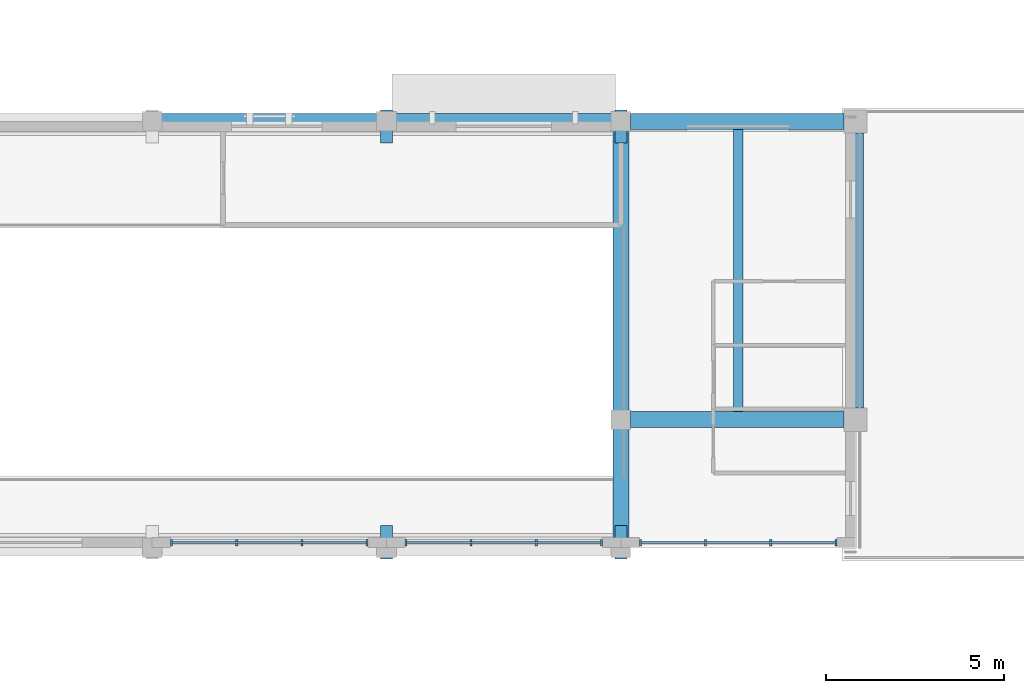
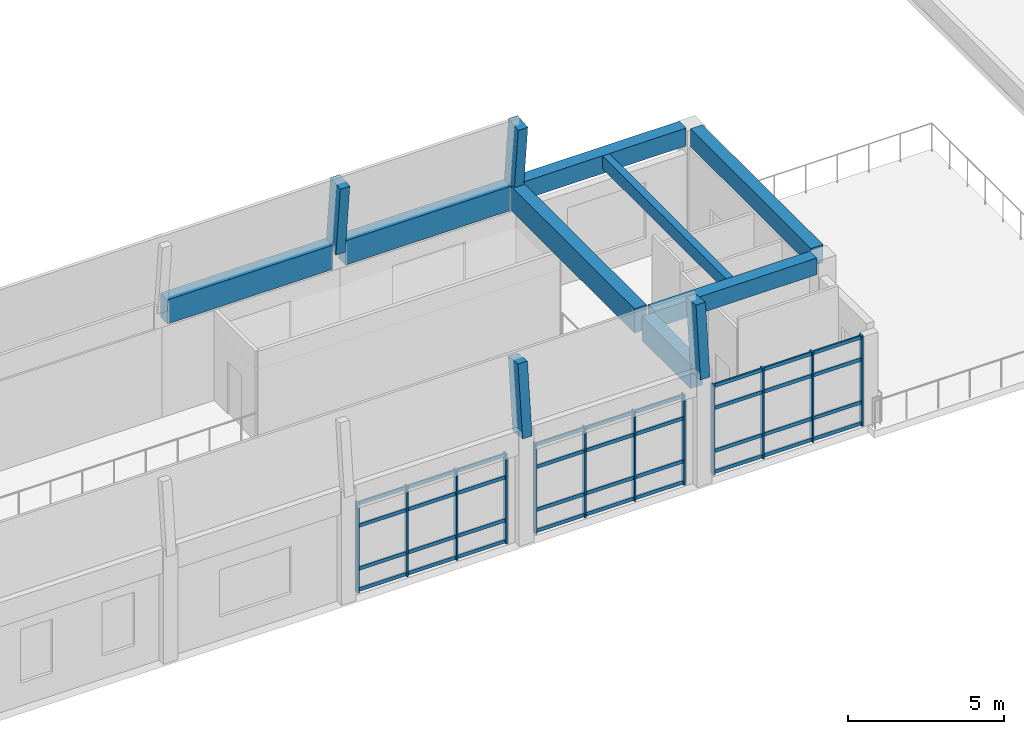
# One storey, part 13 of 50: 24 members, 12 beams, 3 elements without a shape of their own.
"""IFC4 building model written with IfcOpenShell, lengths in metres."""

from ifc_helpers import new_model, si_unit, direction, frame, origin, origin_2d, place, context, subcontext, project, spatial, rectangle, extrude, material, layer, layer_set, material_profile, profile_set, type_object, element, aggregate, save


model = new_model("IFC4")

# Units and contexts
model_context = context("Model", 3, precision=1e-05, world=origin(), true_north=direction((0.0, 1.0)))
body_context = subcontext(model_context, "Body", "Model", "MODEL_VIEW")
ifc_project = project(units=[si_unit("LENGTHUNIT", "METRE"), si_unit("AREAUNIT", "SQUARE_METRE"), si_unit("VOLUMEUNIT", "CUBIC_METRE"), si_unit("PLANEANGLEUNIT", "RADIAN"), si_unit("MASSUNIT", "GRAM", prefix="KILO")], contexts=[model_context])

# Site, building, storey
site_placement = place(None, origin())
site = spatial("IfcSite", under=ifc_project, at=site_placement, CompositionType="ELEMENT")
building_placement = place(site_placement, origin())
building = spatial("IfcBuilding", under=site, at=building_placement, Name="Kolvaren Faculty of Natural Sciences", CompositionType="ELEMENT")
storey_placement = place(building_placement, frame((0.0, 0.0, 15.0)))
storey = spatial("IfcBuildingStorey", under=building, at=storey_placement, Name="L03", CompositionType="ELEMENT", Elevation=15.0)

# Curtain wall, members
ifc_material_1 = material(Name="Thermally broken anodised aluminium framing", Category="aluminium")
ifc_layer = layer(ifc_material_1, 0.179931640625)
ifc_layer_set = layer_set([ifc_layer], Name="Thermally broken anodised aluminium framing")
curtain_wall_type = type_object("IfcCurtainWallType", Name="AtriumCurtainWall_CW01", PredefinedType="NOTDEFINED", material=ifc_layer_set)
curtain_wall_1_placement = place(storey_placement, origin())
curtain_wall_1 = element("IfcCurtainWall", 1, at=curtain_wall_1_placement, inside=storey, type_object=curtain_wall_type, Name="L03 unitised curtain wall CW-01 (CW-L03-164)", PredefinedType="NOTDEFINED")
ifc_material_profile_1 = material_profile(ifc_material_1, rectangle(XDim=0.06005859375, YDim=0.179931640625, at=origin_2d()), Name="ALU MUL 60x180")
ifc_profile_set_1 = profile_set([ifc_material_profile_1], Name="Thermally broken anodised aluminium framing")
member_type_1 = type_object("IfcMemberType", Name="CurtainMullion_60x180", PredefinedType="MULLION", material=ifc_profile_set_1)
member_1_placement = place(storey_placement, frame((105.25, 72.340087890625, 0.0), z_axis=(0.0, 0.0, 1.0), x_axis=(-1.0, 0.0, 0.0)))
member_1 = element("IfcMember", 2, at=member_1_placement, type_object=member_type_1, Name="CW-L03-164 vertical mullion 1", PredefinedType="MULLION", context=body_context, shape_type="SweptSolid", body=[
    extrude(rectangle(XDim=0.06005859375, YDim=0.179931640625, at=origin_2d()), origin(), (0.0, 0.0, 1.0), 3.534912109375),
])
member_2_placement = place(storey_placement, frame((103.416748046875, 72.340087890625, 0.0), z_axis=(0.0, 0.0, 1.0), x_axis=(-1.0, 0.0, 0.0)))
member_2 = element("IfcMember", 3, at=member_2_placement, type_object=member_type_1, Name="CW-L03-164 vertical mullion 2", PredefinedType="MULLION", context=body_context, shape_type="SweptSolid", body=[
    extrude(rectangle(XDim=0.06005859375, YDim=0.179931640625, at=origin_2d()), origin(), (0.0, 0.0, 1.0), 3.534912109375),
])
member_3_placement = place(storey_placement, frame((101.583251953125, 72.340087890625, 0.0), z_axis=(0.0, 0.0, 1.0), x_axis=(-1.0, 0.0, 0.0)))
member_3 = element("IfcMember", 4, at=member_3_placement, type_object=member_type_1, Name="CW-L03-164 vertical mullion 3", PredefinedType="MULLION", context=body_context, shape_type="SweptSolid", body=[
    extrude(rectangle(XDim=0.06005859375, YDim=0.179931640625, at=origin_2d()), origin(), (0.0, 0.0, 1.0), 3.534912109375),
])
member_4_placement = place(storey_placement, frame((99.75, 72.340087890625, 0.0), z_axis=(0.0, 0.0, 1.0), x_axis=(-1.0, 0.0, 0.0)))
member_4 = element("IfcMember", 5, at=member_4_placement, type_object=member_type_1, Name="CW-L03-164 vertical mullion 4", PredefinedType="MULLION", context=body_context, shape_type="SweptSolid", body=[
    extrude(rectangle(XDim=0.06005859375, YDim=0.179931640625, at=origin_2d()), origin(), (0.0, 0.0, 1.0), 3.534912109375),
])

curtain_wall_2_placement = place(storey_placement, origin())
curtain_wall_2 = element("IfcCurtainWall", 6, at=curtain_wall_2_placement, inside=storey, type_object=curtain_wall_type, Name="L03 unitised curtain wall CW-01 (CW-L03-165)", PredefinedType="NOTDEFINED")
member_5_placement = place(storey_placement, frame((98.64990234375, 72.340087890625, 0.0), z_axis=(0.0, 0.0, 1.0), x_axis=(-1.0, 0.0, 0.0)))
member_5 = element("IfcMember", 7, at=member_5_placement, type_object=member_type_1, Name="CW-L03-165 vertical mullion 1", PredefinedType="MULLION", context=body_context, shape_type="SweptSolid", body=[
    extrude(rectangle(XDim=0.06005859375, YDim=0.179931640625, at=origin_2d()), origin(), (0.0, 0.0, 1.0), 3.534912109375),
])
member_6_placement = place(storey_placement, frame((96.816650390625, 72.340087890625, 0.0), z_axis=(0.0, 0.0, 1.0), x_axis=(-1.0, 0.0, 0.0)))
member_6 = element("IfcMember", 8, at=member_6_placement, type_object=member_type_1, Name="CW-L03-165 vertical mullion 2", PredefinedType="MULLION", context=body_context, shape_type="SweptSolid", body=[
    extrude(rectangle(XDim=0.06005859375, YDim=0.179931640625, at=origin_2d()), origin(), (0.0, 0.0, 1.0), 3.534912109375),
])
member_7_placement = place(storey_placement, frame((94.9833984375, 72.340087890625, 0.0), z_axis=(0.0, 0.0, 1.0), x_axis=(-1.0, 0.0, 0.0)))
member_7 = element("IfcMember", 9, at=member_7_placement, type_object=member_type_1, Name="CW-L03-165 vertical mullion 3", PredefinedType="MULLION", context=body_context, shape_type="SweptSolid", body=[
    extrude(rectangle(XDim=0.06005859375, YDim=0.179931640625, at=origin_2d()), origin(), (0.0, 0.0, 1.0), 3.534912109375),
])
member_8_placement = place(storey_placement, frame((93.14990234375, 72.340087890625, 0.0), z_axis=(0.0, 0.0, 1.0), x_axis=(-1.0, 0.0, 0.0)))
member_8 = element("IfcMember", 10, at=member_8_placement, type_object=member_type_1, Name="CW-L03-165 vertical mullion 4", PredefinedType="MULLION", context=body_context, shape_type="SweptSolid", body=[
    extrude(rectangle(XDim=0.06005859375, YDim=0.179931640625, at=origin_2d()), origin(), (0.0, 0.0, 1.0), 3.534912109375),
])

curtain_wall_3_placement = place(storey_placement, origin())
curtain_wall_3 = element("IfcCurtainWall", 11, at=curtain_wall_3_placement, inside=storey, type_object=curtain_wall_type, Name="L03 unitised curtain wall CW-01 (CW-L03-166)", PredefinedType="NOTDEFINED")
member_9_placement = place(storey_placement, frame((92.050048828125, 72.340087890625, 0.0), z_axis=(0.0, 0.0, 1.0), x_axis=(-1.0, 0.0, 0.0)))
member_9 = element("IfcMember", 12, at=member_9_placement, type_object=member_type_1, Name="CW-L03-166 vertical mullion 1", PredefinedType="MULLION", context=body_context, shape_type="SweptSolid", body=[
    extrude(rectangle(XDim=0.06005859375, YDim=0.179931640625, at=origin_2d()), origin(), (0.0, 0.0, 1.0), 3.534912109375),
])
member_10_placement = place(storey_placement, frame((90.216796875, 72.340087890625, 0.0), z_axis=(0.0, 0.0, 1.0), x_axis=(-1.0, 0.0, 0.0)))
member_10 = element("IfcMember", 13, at=member_10_placement, type_object=member_type_1, Name="CW-L03-166 vertical mullion 2", PredefinedType="MULLION", context=body_context, shape_type="SweptSolid", body=[
    extrude(rectangle(XDim=0.06005859375, YDim=0.179931640625, at=origin_2d()), origin(), (0.0, 0.0, 1.0), 3.534912109375),
])
member_11_placement = place(storey_placement, frame((88.38330078125, 72.340087890625, 0.0), z_axis=(0.0, 0.0, 1.0), x_axis=(-1.0, 0.0, 0.0)))
member_11 = element("IfcMember", 14, at=member_11_placement, type_object=member_type_1, Name="CW-L03-166 vertical mullion 3", PredefinedType="MULLION", context=body_context, shape_type="SweptSolid", body=[
    extrude(rectangle(XDim=0.06005859375, YDim=0.179931640625, at=origin_2d()), origin(), (0.0, 0.0, 1.0), 3.534912109375),
])
member_12_placement = place(storey_placement, frame((86.550048828125, 72.340087890625, 0.0), z_axis=(0.0, 0.0, 1.0), x_axis=(-1.0, 0.0, 0.0)))
member_12 = element("IfcMember", 15, at=member_12_placement, type_object=member_type_1, Name="CW-L03-166 vertical mullion 4", PredefinedType="MULLION", context=body_context, shape_type="SweptSolid", body=[
    extrude(rectangle(XDim=0.06005859375, YDim=0.179931640625, at=origin_2d()), origin(), (0.0, 0.0, 1.0), 3.534912109375),
])

# Member
ifc_material_profile_2 = material_profile(ifc_material_1, rectangle(XDim=0.06005859375, YDim=0.139892578125, at=origin_2d()), Name="ALU TRN 60x140")
ifc_profile_set_2 = profile_set([ifc_material_profile_2], Name="Thermally broken anodised aluminium framing")
member_type_2 = type_object("IfcMemberType", Name="CurtainTransom_60x140", PredefinedType="USERDEFINED", material=ifc_profile_set_2)
member_13_placement = place(storey_placement, frame((105.25, 72.340087890625, 0.080078125), z_axis=(-1.0, 0.0, 0.0), x_axis=(0.0, -1.0, 0.0)))
member_13 = element("IfcMember", 16, at=member_13_placement, type_object=member_type_2, Name="CW-L03-164 horizontal transom 1", ObjectType="TRANSOM", PredefinedType="USERDEFINED", context=body_context, shape_type="SweptSolid", body=[
    extrude(rectangle(XDim=0.06005859375, YDim=0.139892578125, at=origin_2d()), origin(), (0.0, 0.0, 1.0), 5.5),
])

member_14_placement = place(storey_placement, frame((105.25, 72.340087890625, 0.89990234375), z_axis=(-1.0, 0.0, 0.0), x_axis=(0.0, -1.0, 0.0)))
member_14 = element("IfcMember", 17, at=member_14_placement, type_object=member_type_2, Name="CW-L03-164 horizontal transom 2", ObjectType="TRANSOM", PredefinedType="USERDEFINED", context=body_context, shape_type="SweptSolid", body=[
    extrude(rectangle(XDim=0.06005859375, YDim=0.139892578125, at=origin_2d()), origin(), (0.0, 0.0, 1.0), 5.5),
])

member_15_placement = place(storey_placement, frame((105.25, 72.340087890625, 2.5849609375), z_axis=(-1.0, 0.0, 0.0), x_axis=(0.0, -1.0, 0.0)))
member_15 = element("IfcMember", 18, at=member_15_placement, type_object=member_type_2, Name="CW-L03-164 horizontal transom 3", ObjectType="TRANSOM", PredefinedType="USERDEFINED", context=body_context, shape_type="SweptSolid", body=[
    extrude(rectangle(XDim=0.06005859375, YDim=0.139892578125, at=origin_2d()), origin(), (0.0, 0.0, 1.0), 5.5),
])

member_16_placement = place(storey_placement, frame((105.25, 72.340087890625, 3.455078125), z_axis=(-1.0, 0.0, 0.0), x_axis=(0.0, -1.0, 0.0)))
member_16 = element("IfcMember", 19, at=member_16_placement, type_object=member_type_2, Name="CW-L03-164 horizontal transom 4", ObjectType="TRANSOM", PredefinedType="USERDEFINED", context=body_context, shape_type="SweptSolid", body=[
    extrude(rectangle(XDim=0.06005859375, YDim=0.139892578125, at=origin_2d()), origin(), (0.0, 0.0, 1.0), 5.5),
])

aggregate(curtain_wall_1, [member_1, member_2, member_3, member_4, member_13, member_14, member_15, member_16])

member_17_placement = place(storey_placement, frame((98.64990234375, 72.340087890625, 0.080078125), z_axis=(-1.0, 0.0, 0.0), x_axis=(0.0, -1.0, 0.0)))
member_17 = element("IfcMember", 20, at=member_17_placement, type_object=member_type_2, Name="CW-L03-165 horizontal transom 1", ObjectType="TRANSOM", PredefinedType="USERDEFINED", context=body_context, shape_type="SweptSolid", body=[
    extrude(rectangle(XDim=0.06005859375, YDim=0.139892578125, at=origin_2d()), origin(), (0.0, 0.0, 1.0), 5.5),
])

member_18_placement = place(storey_placement, frame((98.64990234375, 72.340087890625, 0.89990234375), z_axis=(-1.0, 0.0, 0.0), x_axis=(0.0, -1.0, 0.0)))
member_18 = element("IfcMember", 21, at=member_18_placement, type_object=member_type_2, Name="CW-L03-165 horizontal transom 2", ObjectType="TRANSOM", PredefinedType="USERDEFINED", context=body_context, shape_type="SweptSolid", body=[
    extrude(rectangle(XDim=0.06005859375, YDim=0.139892578125, at=origin_2d()), origin(), (0.0, 0.0, 1.0), 5.5),
])

member_19_placement = place(storey_placement, frame((98.64990234375, 72.340087890625, 2.5849609375), z_axis=(-1.0, 0.0, 0.0), x_axis=(0.0, -1.0, 0.0)))
member_19 = element("IfcMember", 22, at=member_19_placement, type_object=member_type_2, Name="CW-L03-165 horizontal transom 3", ObjectType="TRANSOM", PredefinedType="USERDEFINED", context=body_context, shape_type="SweptSolid", body=[
    extrude(rectangle(XDim=0.06005859375, YDim=0.139892578125, at=origin_2d()), origin(), (0.0, 0.0, 1.0), 5.5),
])

member_20_placement = place(storey_placement, frame((98.64990234375, 72.340087890625, 3.455078125), z_axis=(-1.0, 0.0, 0.0), x_axis=(0.0, -1.0, 0.0)))
member_20 = element("IfcMember", 23, at=member_20_placement, type_object=member_type_2, Name="CW-L03-165 horizontal transom 4", ObjectType="TRANSOM", PredefinedType="USERDEFINED", context=body_context, shape_type="SweptSolid", body=[
    extrude(rectangle(XDim=0.06005859375, YDim=0.139892578125, at=origin_2d()), origin(), (0.0, 0.0, 1.0), 5.5),
])

aggregate(curtain_wall_2, [member_5, member_6, member_7, member_8, member_17, member_18, member_19, member_20])

member_21_placement = place(storey_placement, frame((92.050048828125, 72.340087890625, 0.080078125), z_axis=(-1.0, 0.0, 0.0), x_axis=(0.0, -1.0, 0.0)))
member_21 = element("IfcMember", 24, at=member_21_placement, type_object=member_type_2, Name="CW-L03-166 horizontal transom 1", ObjectType="TRANSOM", PredefinedType="USERDEFINED", context=body_context, shape_type="SweptSolid", body=[
    extrude(rectangle(XDim=0.06005859375, YDim=0.139892578125, at=origin_2d()), origin(), (0.0, 0.0, 1.0), 5.5),
])

member_22_placement = place(storey_placement, frame((92.050048828125, 72.340087890625, 0.89990234375), z_axis=(-1.0, 0.0, 0.0), x_axis=(0.0, -1.0, 0.0)))
member_22 = element("IfcMember", 25, at=member_22_placement, type_object=member_type_2, Name="CW-L03-166 horizontal transom 2", ObjectType="TRANSOM", PredefinedType="USERDEFINED", context=body_context, shape_type="SweptSolid", body=[
    extrude(rectangle(XDim=0.06005859375, YDim=0.139892578125, at=origin_2d()), origin(), (0.0, 0.0, 1.0), 5.5),
])

member_23_placement = place(storey_placement, frame((92.050048828125, 72.340087890625, 2.5849609375), z_axis=(-1.0, 0.0, 0.0), x_axis=(0.0, -1.0, 0.0)))
member_23 = element("IfcMember", 26, at=member_23_placement, type_object=member_type_2, Name="CW-L03-166 horizontal transom 3", ObjectType="TRANSOM", PredefinedType="USERDEFINED", context=body_context, shape_type="SweptSolid", body=[
    extrude(rectangle(XDim=0.06005859375, YDim=0.139892578125, at=origin_2d()), origin(), (0.0, 0.0, 1.0), 5.5),
])

member_24_placement = place(storey_placement, frame((92.050048828125, 72.340087890625, 3.455078125), z_axis=(-1.0, 0.0, 0.0), x_axis=(0.0, -1.0, 0.0)))
member_24 = element("IfcMember", 27, at=member_24_placement, type_object=member_type_2, Name="CW-L03-166 horizontal transom 4", ObjectType="TRANSOM", PredefinedType="USERDEFINED", context=body_context, shape_type="SweptSolid", body=[
    extrude(rectangle(XDim=0.06005859375, YDim=0.139892578125, at=origin_2d()), origin(), (0.0, 0.0, 1.0), 5.5),
])

aggregate(curtain_wall_3, [member_9, member_10, member_11, member_12, member_21, member_22, member_23, member_24])

# Beams
ifc_material_2 = material(Name="Concrete C35/45", Category="concrete")
ifc_material_profile_3 = material_profile(ifc_material_2, rectangle(XDim=0.449951171875, YDim=0.64990234375, at=origin_2d()), Name="RC BM 450x650")
ifc_profile_set_3 = profile_set([ifc_material_profile_3], Name="Concrete C35/45")
beam_type_1 = type_object("IfcBeamType", Name="GridBeam_450x650", PredefinedType="BEAM", material=ifc_profile_set_3)
beam_1_placement = place(storey_placement, frame((99.47509765625, 75.800048828125, 4.175048828125), z_axis=(1.0, 0.0, 0.0), x_axis=(0.0, 1.0, 0.0)))
element("IfcBeam", 28, at=beam_1_placement, inside=storey, type_object=beam_type_1, Name="L03 beam BM-65 on grid K", PredefinedType="BEAM", context=body_context, shape_type="SweptSolid", body=[
    extrude(rectangle(XDim=0.449951171875, YDim=0.64990234375, at=origin_2d()), origin(), (0.0, 0.0, 1.0), 6.0),
])
ifc_material_profile_4 = material_profile(ifc_material_2, rectangle(XDim=0.260009765625, YDim=0.5, at=origin_2d()), Name="RC JST 260x500")
ifc_profile_set_4 = profile_set([ifc_material_profile_4], Name="Concrete C35/45")
beam_type_2 = type_object("IfcBeamType", Name="LabRibJoist_260x500", PredefinedType="JOIST", material=ifc_profile_set_4)
beam_2_placement = place(storey_placement, frame((102.5, 76.02490234375, 4.25), z_axis=(0.0, 1.0, 0.0), x_axis=(-1.0, 0.0, 0.0)))
element("IfcBeam", 29, at=beam_2_placement, inside=storey, type_object=beam_type_2, Name="L03 ribbed laboratory slab joist JS-50", PredefinedType="JOIST", context=body_context, shape_type="SweptSolid", body=[
    extrude(rectangle(XDim=0.260009765625, YDim=0.5, at=origin_2d()), origin(), (0.0, 0.0, 1.0), 7.9501953125),
])
ifc_material_profile_5 = material_profile(ifc_material_2, rectangle(XDim=0.449951171875, YDim=0.699951171875, at=origin_2d()), Name="RC SP 450x700")
ifc_profile_set_5 = profile_set([ifc_material_profile_5], Name="Concrete C35/45")
beam_type_3 = type_object("IfcBeamType", Name="PerimeterSpandrel_450x700", PredefinedType="SPANDREL", material=ifc_profile_set_5)
beam_3_placement = place(storey_placement, frame((99.47509765625, 84.199951171875, 4.14990234375), z_axis=(1.0, 0.0, 0.0), x_axis=(0.0, 1.0, 0.0)))
element("IfcBeam", 30, at=beam_3_placement, inside=storey, type_object=beam_type_3, Name="L03 spandrel SP-70 on grid L", PredefinedType="SPANDREL", context=body_context, shape_type="SweptSolid", body=[
    extrude(rectangle(XDim=0.449951171875, YDim=0.699951171875, at=origin_2d()), origin(), (0.0, 0.0, 1.0), 6.0),
])
beam_4_placement = place(storey_placement, frame((105.800048828125, 76.125, 4.14990234375), z_axis=(0.0, 1.0, 0.0), x_axis=(-1.0, 0.0, 0.0)))
element("IfcBeam", 31, at=beam_4_placement, inside=storey, type_object=beam_type_3, Name="L03 girder SP-70 on grid 17", PredefinedType="SPANDREL", context=body_context, shape_type="SweptSolid", body=[
    extrude(rectangle(XDim=0.449951171875, YDim=0.699951171875, at=origin_2d()), origin(), (0.0, 0.0, 1.0), 7.75),
])
ifc_material_3 = material(Name="Concrete C40/50", Category="concrete")
ifc_material_profile_6 = material_profile(ifc_material_3, rectangle(XDim=0.35009765625, YDim=0.64990234375, at=origin_2d()), Name="RC RB 350x650")
ifc_profile_set_6 = profile_set([ifc_material_profile_6], Name="Concrete C40/50")
beam_type_4 = type_object("IfcBeamType", Name="ShellArchRib_350x650", PredefinedType="BEAM", material=ifc_profile_set_6)
for number, where, z_axis, x_axis, name in (
    (32, (92.60009765625, 72.199951171875, 4.179931640625), (0.0, 0.105843436286, 0.994382807069), (-1.0, 0.0, 0.0), "Central Sky-Lit Atrium Barrel Vault Shell arched stiffening rib 5.1"),
    (33, (92.60009765625, 83.90625, 6.939208984375), (0.0, 0.105843436286, -0.994382807069), (-1.0, 0.0, 0.0), "Central Sky-Lit Atrium Barrel Vault Shell arched stiffening rib 5.10"),
    (34, (99.199951171875, 72.199951171875, 4.179931640625), (0.0, 0.105843436286, 0.994382807069), (-1.0, 0.0, 0.0), "Central Sky-Lit Atrium Barrel Vault Shell arched stiffening rib 6.1"),
    (35, (99.199951171875, 83.90625, 6.939208984375), (0.0, 0.105843436286, -0.994382807069), (-1.0, 0.0, 0.0), "Central Sky-Lit Atrium Barrel Vault Shell arched stiffening rib 6.10"),
):
    element("IfcBeam", number, at=place(storey_placement, frame(where, z_axis=z_axis, x_axis=x_axis)), inside=storey, type_object=beam_type_4, Name=name, PredefinedType="BEAM", context=body_context, shape_type="SweptSolid", body=[
        extrude(rectangle(XDim=0.35009765625, YDim=0.64990234375, at=origin_2d()), origin(), (0.0, 0.0, 1.0), 2.77490234375),
    ])
ifc_material_profile_7 = material_profile(ifc_material_3, rectangle(XDim=0.449951171875, YDim=0.949951171875, at=origin_2d()), Name="RC EB 450x950")
ifc_profile_set_7 = profile_set([ifc_material_profile_7], Name="Concrete C40/50")
beam_type_5 = type_object("IfcBeamType", Name="ShellEdgeBeam_450x950", PredefinedType="SPANDREL", material=ifc_profile_set_7)
beam_5_placement = place(storey_placement, frame((86.239990234375, 84.199951171875, 4.02490234375), z_axis=(1.0, 0.0, 0.0), x_axis=(0.0, 1.0, 0.0)))
element("IfcBeam", 36, at=beam_5_placement, inside=storey, type_object=beam_type_5, Name="Central Sky-Lit Atrium Barrel Vault Shell visible RC edge beam EB-SHELL", PredefinedType="SPANDREL", context=body_context, shape_type="SweptSolid", body=[
    extrude(rectangle(XDim=0.449951171875, YDim=0.949951171875, at=origin_2d()), origin(), (0.0, 0.0, 1.0), 6.1201171875),
])
beam_6_placement = place(storey_placement, frame((92.840087890625, 84.199951171875, 4.02490234375), z_axis=(1.0, 0.0, 0.0), x_axis=(0.0, 1.0, 0.0)))
element("IfcBeam", 37, at=beam_6_placement, inside=storey, type_object=beam_type_5, Name="Central Sky-Lit Atrium Barrel Vault Shell visible RC edge beam EB-SHELL", PredefinedType="SPANDREL", context=body_context, shape_type="SweptSolid", body=[
    extrude(rectangle(XDim=0.449951171875, YDim=0.949951171875, at=origin_2d()), origin(), (0.0, 0.0, 1.0), 6.119873046875),
])
beam_7_placement = place(storey_placement, frame((99.199951171875, 72.43994140625, 4.02490234375), z_axis=(0.0, 1.0, 0.0), x_axis=(-1.0, 0.0, 0.0)))
element("IfcBeam", 38, at=beam_7_placement, inside=storey, type_object=beam_type_5, Name="Central Sky-Lit Atrium Barrel Vault Shell visible RC edge beam EB-SHELL", PredefinedType="SPANDREL", context=body_context, shape_type="SweptSolid", body=[
    extrude(rectangle(XDim=0.449951171875, YDim=0.949951171875, at=origin_2d()), origin(), (0.0, 0.0, 1.0), 3.1201171875),
])
beam_8_placement = place(storey_placement, frame((99.199951171875, 76.0400390625, 4.02490234375), z_axis=(0.0, 1.0, 0.0), x_axis=(-1.0, 0.0, 0.0)))
element("IfcBeam", 39, at=beam_8_placement, inside=storey, type_object=beam_type_5, Name="Central Sky-Lit Atrium Barrel Vault Shell visible RC edge beam EB-SHELL", PredefinedType="SPANDREL", context=body_context, shape_type="SweptSolid", body=[
    extrude(rectangle(XDim=0.449951171875, YDim=0.949951171875, at=origin_2d()), origin(), (0.0, 0.0, 1.0), 7.919921875),
])

save(model, "model.ifc")
